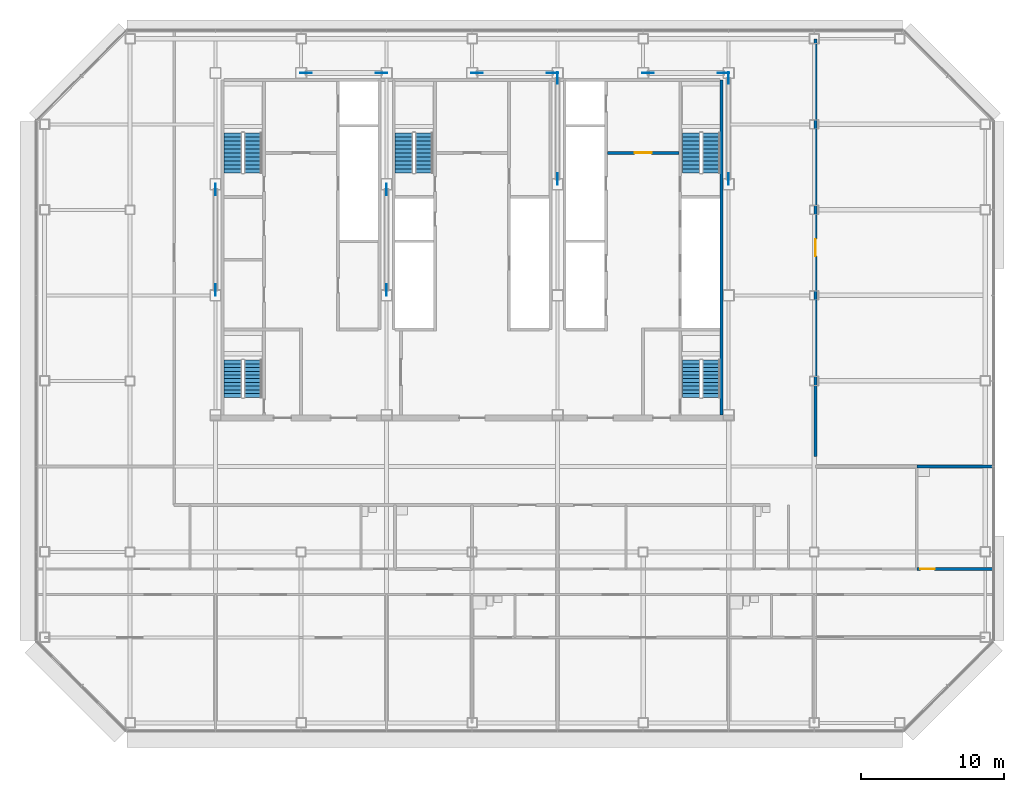
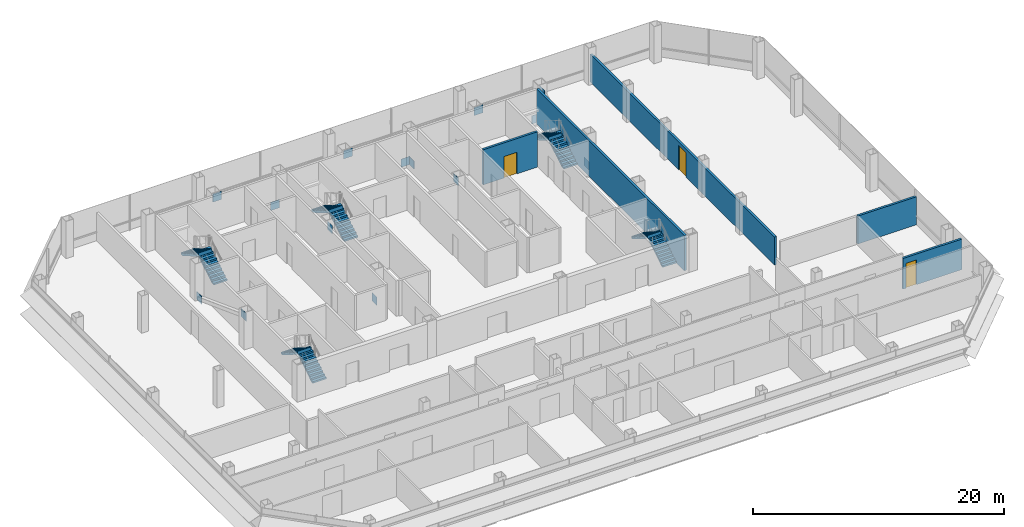
# One storey, part 22 of 24: 14 discrete accessories, 10 stair flights, 5 walls, 3 doors, 3 openings, 5 elements without a shape of their own.
"""IFC4 building model written with IfcOpenShell, lengths in metres."""

from ifc_helpers import new_model, si_unit, direction, frame, frame_2d, origin, origin_2d, place, context, subcontext, project, spatial, polyline, rectangle, outline, extrude, material, layer, layer_set, type_object, element, fill, aggregate, save


model = new_model("IFC4")

# Units and contexts
model_context = context("Model", 3, precision=1e-05, world=origin(), true_north=direction((0.0, 1.0)))
body_context = subcontext(model_context, "Body", "Model", "MODEL_VIEW")
ifc_project = project(units=[si_unit("LENGTHUNIT", "METRE"), si_unit("AREAUNIT", "SQUARE_METRE"), si_unit("VOLUMEUNIT", "CUBIC_METRE"), si_unit("PLANEANGLEUNIT", "RADIAN"), si_unit("MASSUNIT", "GRAM", prefix="KILO")], contexts=[model_context])

# Site, building, storey
site_placement = place(None, origin())
site = spatial("IfcSite", under=ifc_project, at=site_placement, CompositionType="ELEMENT")
building_placement = place(site_placement, origin())
building = spatial("IfcBuilding", under=site, at=building_placement, Name="Sorahane Residences", CompositionType="ELEMENT")
storey_placement = place(building_placement, frame((0.0, 0.0, 170.800048828125)))
storey = spatial("IfcBuildingStorey", under=building, at=storey_placement, Name="L39", CompositionType="ELEMENT", Elevation=170.800048828125)

# Wall
ifc_material_1 = material(Name="Concrete C30", Category="concrete")
ifc_layer_1 = layer(ifc_material_1, 0.199951171875)
ifc_layer_set_1 = layer_set([ifc_layer_1], Name="Core face wall 200 EI 180")
wall_type_1 = type_object("IfcWallType", Name="Core face wall 200 EI 180", PredefinedType="SOLIDWALL", material=ifc_layer_set_1)
wall_1_placement = place(storey_placement, frame((41.5, 21.60009765625, 0.0), z_axis=(0.0, 0.0, 1.0), x_axis=(0.0, 1.0, 0.0)))
element("IfcWall", 1, at=wall_1_placement, inside=storey, type_object=wall_type_1, Name="L39 core face wall", PredefinedType="SOLIDWALL", context=body_context, shape_type="SweptSolid", body=[
    extrude(rectangle(XDim=23.5, YDim=0.199951171875, at=frame_2d((11.75, 0.0))), origin(), (0.0, 0.0, 1.0), 3.419921875),
])

# Wall, opening, door
ifc_material_2 = material(Name="Concrete blockwork C20 wall", Category="masonry")
ifc_layer_2 = layer(ifc_material_2, 0.199951171875)
ifc_layer_set_2 = layer_set([ifc_layer_2], Name="Corridor wall 200 EI 120")
wall_type_2 = type_object("IfcWallType", Name="Corridor wall 200 EI 120", PredefinedType="SOLIDWALL", material=ifc_layer_set_2)
wall_2_placement = place(storey_placement, frame((48.10009765625, 18.699951171875, 0.0), z_axis=(0.0, 0.0, 1.0), x_axis=(0.0, 1.0, 0.0)))
wall_2 = element("IfcWall", 2, at=wall_2_placement, inside=storey, type_object=wall_type_2, Name="L39 corridor wall", PredefinedType="SOLIDWALL", context=body_context, shape_type="SweptSolid", body=[
    extrude(rectangle(XDim=29.300048828125, YDim=0.199951171875, at=frame_2d((14.64990234375, 0.0))), origin(), (0.0, 0.0, 1.0), 2.719970703125),
])
opening_1_placement = place(wall_2_placement, frame((14.050048828125, 0.0, 0.0)))
opening_1 = element("IfcOpeningElement", 3, at=opening_1_placement, cuts=wall_2, Name="Opening L39-29", PredefinedType="OPENING", context=body_context, shape_type="SweptSolid", body=[
    extrude(rectangle(XDim=1.199951171875, YDim=2.39990234375, at=frame_2d((0.60009765625, 1.199951171875))), frame((0.0, 0.10986328125, 0.0), z_axis=(0.0, -1.0, 0.0), x_axis=(1.0, 0.0, 0.0)), (0.0, 0.0, 1.0), 0.219970703125),
])
ifc_material_3 = material(Name="Steel", Category="steel")
door_type_1 = type_object("IfcDoorType", Name="Lobby door 1200x2400 FD60", OperationType="NOTDEFINED", PredefinedType="DOOR", material=ifc_material_3)
door_1_placement = place(opening_1_placement, frame((1.199951171875, 0.0, 0.0), z_axis=(0.0, 0.0, 1.0), x_axis=(-1.0, 0.0, 0.0)))
door_1 = element("IfcDoor", 4, at=door_1_placement, inside=storey, type_object=door_type_1, Name="Lobby door L39-29", OperationType="SINGLE_SWING_RIGHT", OverallHeight=2.39990234375, OverallWidth=1.199951171875, PredefinedType="DOOR", context=body_context, shape_type="SweptSolid", body=[
    extrude(rectangle(XDim=1.199951171875, YDim=2.39990234375, at=frame_2d((0.60009765625, 1.199951171875))), frame((0.0, 0.02490234375, 0.0), z_axis=(0.0, -1.0, 0.0), x_axis=(1.0, 0.0, 0.0)), (0.0, 0.0, 1.0), 0.050048828125),
])
fill(opening_1, door_1)

ifc_material_4 = material(Name="Concrete C30", Category="concrete")
ifc_layer_3 = layer(ifc_material_4, 0.199951171875)
ifc_layer_set_3 = layer_set([ifc_layer_3], Name="Front room wall 200 EI 120")
wall_type_3 = type_object("IfcWallType", Name="Front room wall 200 EI 120", PredefinedType="PARTITIONING", material=ifc_layer_set_3)
wall_3_placement = place(storey_placement, frame((33.5, 40.0, 0.0), z_axis=(0.0, 0.0, 1.0), x_axis=(1.0, 0.0, 0.0)))
wall_3 = element("IfcWall", 5, at=wall_3_placement, inside=storey, type_object=wall_type_3, Name="L39 front room wall", PredefinedType="PARTITIONING", context=body_context, shape_type="SweptSolid", body=[
    extrude(rectangle(XDim=5.0, YDim=0.199951171875, at=frame_2d((2.5, 0.0))), origin(), (0.0, 0.0, 1.0), 3.419921875),
])
opening_2_placement = place(wall_3_placement, frame((1.89990234375, 0.0, 0.0)))
opening_2 = element("IfcOpeningElement", 6, at=opening_2_placement, cuts=wall_3, Name="Opening L39-C09", PredefinedType="OPENING", context=body_context, shape_type="SweptSolid", body=[
    extrude(rectangle(XDim=1.199951171875, YDim=2.10009765625, at=frame_2d((0.60009765625, 1.050048828125))), frame((0.0, 0.10986328125, 0.0), z_axis=(0.0, -1.0, 0.0), x_axis=(1.0, 0.0, 0.0)), (0.0, 0.0, 1.0), 0.219970703125),
])
ifc_material_5 = material(Name="Steel", Category="steel")
door_type_2 = type_object("IfcDoorType", Name="Front room door 1200x2100 FD120", OperationType="NOTDEFINED", PredefinedType="DOOR", material=ifc_material_5)
door_2_placement = place(opening_2_placement, frame((1.199951171875, 0.0, 0.0), z_axis=(0.0, 0.0, 1.0), x_axis=(-1.0, 0.0, 0.0)))
door_2 = element("IfcDoor", 7, at=door_2_placement, inside=storey, type_object=door_type_2, Name="Front room door Firefighting lobby FF2 front room L39", OperationType="DOUBLE_DOOR_SINGLE_SWING", OverallHeight=2.10009765625, OverallWidth=1.199951171875, PredefinedType="DOOR", context=body_context, shape_type="SweptSolid", body=[
    extrude(rectangle(XDim=1.199951171875, YDim=2.10009765625, at=frame_2d((0.60009765625, 1.050048828125))), frame((0.0, 0.02490234375, 0.0), z_axis=(0.0, -1.0, 0.0), x_axis=(1.0, 0.0, 0.0)), (0.0, 0.0, 1.0), 0.050048828125),
])
fill(opening_2, door_2)

ifc_material_6 = material(Name="Concrete blockwork C20 wall", Category="masonry")
ifc_layer_4 = layer(ifc_material_6, 0.199951171875)
ifc_layer_set_4 = layer_set([ifc_layer_4], Name="Kitchen wall 200 EI 180")
wall_type_4 = type_object("IfcWallType", Name="Kitchen wall 200 EI 180", PredefinedType="SOLIDWALL", material=ifc_layer_set_4)
wall_4_placement = place(storey_placement, frame((55.199951171875, 10.800048828125, 0.0), z_axis=(0.0, 0.0, 1.0), x_axis=(1.0, 0.0, 0.0)))
wall_4 = element("IfcWall", 8, at=wall_4_placement, inside=storey, type_object=wall_type_4, Name="L39 kitchen wall", PredefinedType="SOLIDWALL", context=body_context, shape_type="SweptSolid", body=[
    extrude(rectangle(XDim=5.400146484375, YDim=0.199951171875, at=frame_2d((2.7001953125, 0.0))), origin(), (0.0, 0.0, 1.0), 2.969970703125),
])
opening_3_placement = place(wall_4_placement, frame((0.25, 0.0, 0.0)))
opening_3 = element("IfcOpeningElement", 9, at=opening_3_placement, cuts=wall_4, Name="Opening L39-18", PredefinedType="OPENING", context=body_context, shape_type="SweptSolid", body=[
    extrude(rectangle(XDim=1.0, YDim=2.39990234375, at=frame_2d((0.5, 1.199951171875))), frame((0.0, 0.10986328125, 0.0), z_axis=(0.0, -1.0, 0.0), x_axis=(1.0, 0.0, 0.0)), (0.0, 0.0, 1.0), 0.219970703125),
])
ifc_material_7 = material(Name="Steel", Category="steel")
door_type_3 = type_object("IfcDoorType", Name="Kitchen door 1000x2400 FD120", OperationType="NOTDEFINED", PredefinedType="DOOR", material=ifc_material_7)
door_3_placement = place(opening_3_placement, origin())
door_3 = element("IfcDoor", 10, at=door_3_placement, inside=storey, type_object=door_type_3, Name="Kitchen door L39-18", OperationType="SINGLE_SWING_RIGHT", OverallHeight=2.39990234375, OverallWidth=1.0, PredefinedType="DOOR", context=body_context, shape_type="SweptSolid", body=[
    extrude(rectangle(XDim=1.0, YDim=2.39990234375, at=frame_2d((0.5, 1.199951171875))), frame((0.0, 0.02490234375, 0.0), z_axis=(0.0, -1.0, 0.0), x_axis=(1.0, 0.0, 0.0)), (0.0, 0.0, 1.0), 0.050048828125),
])
fill(opening_3, door_3)

# Wall
wall_5_placement = place(storey_placement, frame((55.199951171875, 18.0, 0.0), z_axis=(0.0, 0.0, 1.0), x_axis=(1.0, 0.0, 0.0)))
element("IfcWall", 11, at=wall_5_placement, inside=storey, type_object=wall_type_4, Name="L39 kitchen wall", PredefinedType="SOLIDWALL", context=body_context, shape_type="SweptSolid", body=[
    extrude(rectangle(XDim=5.400146484375, YDim=0.199951171875, at=frame_2d((2.7001953125, 0.0))), origin(), (0.0, 0.0, 1.0), 2.719970703125),
])

# Stair, stair flights
ifc_material_8 = material(Name="Concrete C40", Category="concrete")
stair_type = type_object("IfcStairType", Name="Dog-leg stair 1250 Concrete C40", PredefinedType="HALF_TURN_STAIR", material=ifc_material_8)
stair_1_placement = place(storey_placement, origin())
stair_1 = element("IfcStair", 12, at=stair_1_placement, inside=storey, type_object=stair_type, Name="L39 Stair S1", PredefinedType="HALF_TURN_STAIR")
ifc_material_9 = material(Name="Concrete C40", Category="concrete")
stair_flight_type = type_object("IfcStairFlightType", Name="Stair flight 1250 Concrete C40", PredefinedType="STRAIGHT", material=ifc_material_9)
stair_flight_1_placement = place(storey_placement, frame((8.625, 38.60009765625, 0.0), z_axis=(0.0, 0.0, 1.0), x_axis=(0.0, 1.0, 0.0)))
stair_flight_1 = element("IfcStairFlight", 13, at=stair_flight_1_placement, type_object=stair_flight_type, Name="S1 flight 1", NumberOfRisers=11, NumberOfTreads=10, PredefinedType="STRAIGHT", RiserHeight=0.163636364, TreadLength=0.28, context=body_context, shape_type="SweptSolid", body=[
    extrude(outline(polyline([(-0.00146484375, 0.0), (-0.00146484375, 0.16357421875), (0.0, 0.16357421875), (0.280029296875, 0.16357421875), (0.280029296875, 0.327392578125), (0.56005859375, 0.327392578125), (0.56005859375, 0.490966796875), (0.840087890625, 0.490966796875), (0.840087890625, 0.654541015625), (1.1201171875, 0.654541015625), (1.1201171875, 0.818115234375), (1.39990234375, 0.818115234375), (1.39990234375, 0.98193359375), (1.679931640625, 0.98193359375), (1.679931640625, 1.1455078125), (1.9599609375, 1.1455078125), (1.9599609375, 1.30908203125), (2.239990234375, 1.30908203125), (2.239990234375, 1.47265625), (2.52001953125, 1.47265625), (2.52001953125, 1.636474609375), (2.800048828125, 1.636474609375), (2.800048828125, 1.800048828125), (2.800048828125, 1.462646484375), (2.59130859375, 1.3408203125), (2.3828125, 1.218994140625), (2.17431640625, 1.09716796875), (1.965576171875, 0.97509765625), (1.757080078125, 0.853271484375), (1.548583984375, 0.7314453125), (1.340087890625, 0.609375), (1.13134765625, 0.487548828125), (0.9228515625, 0.36572265625), (0.71435546875, 0.243896484375), (0.505615234375, 0.121826171875), (0.297119140625, 0.0), (-0.00146484375, 0.0)])), frame((0.0, 0.625, 0.0), z_axis=(0.0, -1.0, 0.0), x_axis=(1.0, 0.0, 0.0)), (0.0, 0.0, 1.0), 1.25),
])
stair_flight_2_placement = place(storey_placement, frame((7.22509765625, 41.39990234375, 1.800048828125), z_axis=(0.0, 0.0, 1.0), x_axis=(0.0, -1.0, 0.0)))
stair_flight_2 = element("IfcStairFlight", 14, at=stair_flight_2_placement, type_object=stair_flight_type, Name="S1 flight 2", NumberOfRisers=11, NumberOfTreads=10, PredefinedType="STRAIGHT", RiserHeight=0.163636364, TreadLength=0.28, context=body_context, shape_type="SweptSolid", body=[
    extrude(outline(polyline([(0.0, 0.0), (0.0, 0.16357421875), (0.280029296875, 0.16357421875), (0.280029296875, 0.327392578125), (0.56005859375, 0.327392578125), (0.56005859375, 0.490966796875), (0.840087890625, 0.490966796875), (0.840087890625, 0.654541015625), (1.1201171875, 0.654541015625), (1.1201171875, 0.818115234375), (1.39990234375, 0.818115234375), (1.39990234375, 0.98193359375), (1.679931640625, 0.98193359375), (1.679931640625, 1.1455078125), (1.9599609375, 1.1455078125), (1.9599609375, 1.30908203125), (2.239990234375, 1.30908203125), (2.239990234375, 1.47265625), (2.52001953125, 1.47265625), (2.52001953125, 1.636474609375), (2.800048828125, 1.636474609375), (2.800048828125, 1.800048828125), (2.801513671875, 1.800048828125), (2.801513671875, 1.462646484375), (2.5927734375, 1.3408203125), (2.384033203125, 1.218994140625), (2.17529296875, 1.09716796875), (1.966796875, 0.97509765625), (1.758056640625, 0.853271484375), (1.54931640625, 0.7314453125), (1.340576171875, 0.609375), (1.1318359375, 0.487548828125), (0.923095703125, 0.36572265625), (0.714599609375, 0.243896484375), (0.505859375, 0.121826171875), (0.297119140625, 0.0), (0.0, 0.0)])), frame((0.0, 0.625, 0.0), z_axis=(0.0, -1.0, 0.0), x_axis=(1.0, 0.0, 0.0)), (0.0, 0.0, 1.0), 1.25),
])
aggregate(stair_1, [stair_flight_1, stair_flight_2])

stair_2_placement = place(storey_placement, origin())
stair_2 = element("IfcStair", 15, at=stair_2_placement, inside=storey, type_object=stair_type, Name="L39 Stair S2", PredefinedType="HALF_TURN_STAIR")
stair_flight_3_placement = place(storey_placement, frame((40.77490234375, 38.60009765625, 0.0), z_axis=(0.0, 0.0, 1.0), x_axis=(0.0, 1.0, 0.0)))
stair_flight_3 = element("IfcStairFlight", 16, at=stair_flight_3_placement, type_object=stair_flight_type, Name="S2 flight 1", NumberOfRisers=11, NumberOfTreads=10, PredefinedType="STRAIGHT", RiserHeight=0.163636364, TreadLength=0.28, context=body_context, shape_type="SweptSolid", body=[
    extrude(outline(polyline([(-0.00146484375, 0.0), (-0.00146484375, 0.16357421875), (0.0, 0.16357421875), (0.280029296875, 0.16357421875), (0.280029296875, 0.327392578125), (0.56005859375, 0.327392578125), (0.56005859375, 0.490966796875), (0.840087890625, 0.490966796875), (0.840087890625, 0.654541015625), (1.1201171875, 0.654541015625), (1.1201171875, 0.818115234375), (1.39990234375, 0.818115234375), (1.39990234375, 0.98193359375), (1.679931640625, 0.98193359375), (1.679931640625, 1.1455078125), (1.9599609375, 1.1455078125), (1.9599609375, 1.30908203125), (2.239990234375, 1.30908203125), (2.239990234375, 1.47265625), (2.52001953125, 1.47265625), (2.52001953125, 1.636474609375), (2.800048828125, 1.636474609375), (2.800048828125, 1.800048828125), (2.800048828125, 1.462646484375), (2.59130859375, 1.3408203125), (2.3828125, 1.218994140625), (2.17431640625, 1.09716796875), (1.965576171875, 0.97509765625), (1.757080078125, 0.853271484375), (1.548583984375, 0.7314453125), (1.340087890625, 0.609375), (1.13134765625, 0.487548828125), (0.9228515625, 0.36572265625), (0.71435546875, 0.243896484375), (0.505615234375, 0.121826171875), (0.297119140625, 0.0), (-0.00146484375, 0.0)])), frame((0.0, 0.625, 0.0), z_axis=(0.0, -1.0, 0.0), x_axis=(1.0, 0.0, 0.0)), (0.0, 0.0, 1.0), 1.25),
])
stair_flight_4_placement = place(storey_placement, frame((39.375, 41.39990234375, 1.800048828125), z_axis=(0.0, 0.0, 1.0), x_axis=(0.0, -1.0, 0.0)))
stair_flight_4 = element("IfcStairFlight", 17, at=stair_flight_4_placement, type_object=stair_flight_type, Name="S2 flight 2", NumberOfRisers=11, NumberOfTreads=10, PredefinedType="STRAIGHT", RiserHeight=0.163636364, TreadLength=0.28, context=body_context, shape_type="SweptSolid", body=[
    extrude(outline(polyline([(0.0, 0.0), (0.0, 0.16357421875), (0.280029296875, 0.16357421875), (0.280029296875, 0.327392578125), (0.56005859375, 0.327392578125), (0.56005859375, 0.490966796875), (0.840087890625, 0.490966796875), (0.840087890625, 0.654541015625), (1.1201171875, 0.654541015625), (1.1201171875, 0.818115234375), (1.39990234375, 0.818115234375), (1.39990234375, 0.98193359375), (1.679931640625, 0.98193359375), (1.679931640625, 1.1455078125), (1.9599609375, 1.1455078125), (1.9599609375, 1.30908203125), (2.239990234375, 1.30908203125), (2.239990234375, 1.47265625), (2.52001953125, 1.47265625), (2.52001953125, 1.636474609375), (2.800048828125, 1.636474609375), (2.800048828125, 1.800048828125), (2.801513671875, 1.800048828125), (2.801513671875, 1.462646484375), (2.5927734375, 1.3408203125), (2.384033203125, 1.218994140625), (2.17529296875, 1.09716796875), (1.966796875, 0.97509765625), (1.758056640625, 0.853271484375), (1.54931640625, 0.7314453125), (1.340576171875, 0.609375), (1.1318359375, 0.487548828125), (0.923095703125, 0.36572265625), (0.714599609375, 0.243896484375), (0.505859375, 0.121826171875), (0.297119140625, 0.0), (0.0, 0.0)])), frame((0.0, 0.625, 0.0), z_axis=(0.0, -1.0, 0.0), x_axis=(1.0, 0.0, 0.0)), (0.0, 0.0, 1.0), 1.25),
])
aggregate(stair_2, [stair_flight_3, stair_flight_4])

stair_3_placement = place(storey_placement, origin())
stair_3 = element("IfcStair", 18, at=stair_3_placement, inside=storey, type_object=stair_type, Name="L39 Stair S3", PredefinedType="HALF_TURN_STAIR")
stair_flight_5_placement = place(storey_placement, frame((20.625, 38.60009765625, 0.0), z_axis=(0.0, 0.0, 1.0), x_axis=(0.0, 1.0, 0.0)))
stair_flight_5 = element("IfcStairFlight", 19, at=stair_flight_5_placement, type_object=stair_flight_type, Name="S3 flight 1", NumberOfRisers=11, NumberOfTreads=10, PredefinedType="STRAIGHT", RiserHeight=0.163636364, TreadLength=0.28, context=body_context, shape_type="SweptSolid", body=[
    extrude(outline(polyline([(-0.00146484375, 0.0), (-0.00146484375, 0.16357421875), (0.0, 0.16357421875), (0.280029296875, 0.16357421875), (0.280029296875, 0.327392578125), (0.56005859375, 0.327392578125), (0.56005859375, 0.490966796875), (0.840087890625, 0.490966796875), (0.840087890625, 0.654541015625), (1.1201171875, 0.654541015625), (1.1201171875, 0.818115234375), (1.39990234375, 0.818115234375), (1.39990234375, 0.98193359375), (1.679931640625, 0.98193359375), (1.679931640625, 1.1455078125), (1.9599609375, 1.1455078125), (1.9599609375, 1.30908203125), (2.239990234375, 1.30908203125), (2.239990234375, 1.47265625), (2.52001953125, 1.47265625), (2.52001953125, 1.636474609375), (2.800048828125, 1.636474609375), (2.800048828125, 1.800048828125), (2.800048828125, 1.462646484375), (2.59130859375, 1.3408203125), (2.3828125, 1.218994140625), (2.17431640625, 1.09716796875), (1.965576171875, 0.97509765625), (1.757080078125, 0.853271484375), (1.548583984375, 0.7314453125), (1.340087890625, 0.609375), (1.13134765625, 0.487548828125), (0.9228515625, 0.36572265625), (0.71435546875, 0.243896484375), (0.505615234375, 0.121826171875), (0.297119140625, 0.0), (-0.00146484375, 0.0)])), frame((0.0, 0.625, 0.0), z_axis=(0.0, -1.0, 0.0), x_axis=(1.0, 0.0, 0.0)), (0.0, 0.0, 1.0), 1.25),
])
stair_flight_6_placement = place(storey_placement, frame((19.22509765625, 41.39990234375, 1.800048828125), z_axis=(0.0, 0.0, 1.0), x_axis=(0.0, -1.0, 0.0)))
stair_flight_6 = element("IfcStairFlight", 20, at=stair_flight_6_placement, type_object=stair_flight_type, Name="S3 flight 2", NumberOfRisers=11, NumberOfTreads=10, PredefinedType="STRAIGHT", RiserHeight=0.163636364, TreadLength=0.28, context=body_context, shape_type="SweptSolid", body=[
    extrude(outline(polyline([(0.0, 0.0), (0.0, 0.16357421875), (0.280029296875, 0.16357421875), (0.280029296875, 0.327392578125), (0.56005859375, 0.327392578125), (0.56005859375, 0.490966796875), (0.840087890625, 0.490966796875), (0.840087890625, 0.654541015625), (1.1201171875, 0.654541015625), (1.1201171875, 0.818115234375), (1.39990234375, 0.818115234375), (1.39990234375, 0.98193359375), (1.679931640625, 0.98193359375), (1.679931640625, 1.1455078125), (1.9599609375, 1.1455078125), (1.9599609375, 1.30908203125), (2.239990234375, 1.30908203125), (2.239990234375, 1.47265625), (2.52001953125, 1.47265625), (2.52001953125, 1.636474609375), (2.800048828125, 1.636474609375), (2.800048828125, 1.800048828125), (2.801513671875, 1.800048828125), (2.801513671875, 1.462646484375), (2.5927734375, 1.3408203125), (2.384033203125, 1.218994140625), (2.17529296875, 1.09716796875), (1.966796875, 0.97509765625), (1.758056640625, 0.853271484375), (1.54931640625, 0.7314453125), (1.340576171875, 0.609375), (1.1318359375, 0.487548828125), (0.923095703125, 0.36572265625), (0.714599609375, 0.243896484375), (0.505859375, 0.121826171875), (0.297119140625, 0.0), (0.0, 0.0)])), frame((0.0, 0.625, 0.0), z_axis=(0.0, -1.0, 0.0), x_axis=(1.0, 0.0, 0.0)), (0.0, 0.0, 1.0), 1.25),
])
aggregate(stair_3, [stair_flight_5, stair_flight_6])

stair_4_placement = place(storey_placement, origin())
stair_4 = element("IfcStair", 21, at=stair_4_placement, inside=storey, type_object=stair_type, Name="L39 Stair S4", PredefinedType="HALF_TURN_STAIR")
stair_flight_7_placement = place(storey_placement, frame((8.625, 22.85009765625, 0.0), z_axis=(0.0, 0.0, 1.0), x_axis=(0.0, 1.0, 0.0)))
stair_flight_7 = element("IfcStairFlight", 22, at=stair_flight_7_placement, type_object=stair_flight_type, Name="S4 flight 1", NumberOfRisers=11, NumberOfTreads=10, PredefinedType="STRAIGHT", RiserHeight=0.163636364, TreadLength=0.26, context=body_context, shape_type="SweptSolid", body=[
    extrude(outline(polyline([(-0.00146484375, 0.0), (-0.00146484375, 0.16357421875), (0.0, 0.16357421875), (0.260009765625, 0.16357421875), (0.260009765625, 0.327392578125), (0.52001953125, 0.327392578125), (0.52001953125, 0.490966796875), (0.780029296875, 0.490966796875), (0.780029296875, 0.654541015625), (1.0400390625, 0.654541015625), (1.0400390625, 0.818115234375), (1.300048828125, 0.818115234375), (1.300048828125, 0.98193359375), (1.56005859375, 0.98193359375), (1.56005859375, 1.1455078125), (1.820068359375, 1.1455078125), (1.820068359375, 1.30908203125), (2.080078125, 1.30908203125), (2.080078125, 1.47265625), (2.340087890625, 1.47265625), (2.340087890625, 1.636474609375), (2.60009765625, 1.636474609375), (2.60009765625, 1.800048828125), (2.60009765625, 1.494384765625), (2.402099609375, 1.369873046875), (2.204345703125, 1.245361328125), (2.00634765625, 1.120849609375), (1.80859375, 0.996337890625), (1.610595703125, 0.871826171875), (1.412841796875, 0.747314453125), (1.21484375, 0.622802734375), (1.01708984375, 0.498046875), (0.819091796875, 0.37353515625), (0.621337890625, 0.2490234375), (0.42333984375, 0.12451171875), (0.2255859375, 0.0), (-0.00146484375, 0.0)])), frame((0.0, 0.625, 0.0), z_axis=(0.0, -1.0, 0.0), x_axis=(1.0, 0.0, 0.0)), (0.0, 0.0, 1.0), 1.25),
])
stair_flight_8_placement = place(storey_placement, frame((7.22509765625, 25.449951171875, 1.800048828125), z_axis=(0.0, 0.0, 1.0), x_axis=(0.0, -1.0, 0.0)))
stair_flight_8 = element("IfcStairFlight", 23, at=stair_flight_8_placement, type_object=stair_flight_type, Name="S4 flight 2", NumberOfRisers=11, NumberOfTreads=10, PredefinedType="STRAIGHT", RiserHeight=0.163636364, TreadLength=0.26, context=body_context, shape_type="SweptSolid", body=[
    extrude(outline(polyline([(0.0, 0.0), (0.0, 0.16357421875), (0.260009765625, 0.16357421875), (0.260009765625, 0.327392578125), (0.52001953125, 0.327392578125), (0.52001953125, 0.490966796875), (0.780029296875, 0.490966796875), (0.780029296875, 0.654541015625), (1.0400390625, 0.654541015625), (1.0400390625, 0.818115234375), (1.300048828125, 0.818115234375), (1.300048828125, 0.98193359375), (1.56005859375, 0.98193359375), (1.56005859375, 1.1455078125), (1.820068359375, 1.1455078125), (1.820068359375, 1.30908203125), (2.080078125, 1.30908203125), (2.080078125, 1.47265625), (2.340087890625, 1.47265625), (2.340087890625, 1.636474609375), (2.60009765625, 1.636474609375), (2.60009765625, 1.800048828125), (2.6015625, 1.800048828125), (2.6015625, 1.494384765625), (2.403564453125, 1.369873046875), (2.20556640625, 1.245361328125), (2.007568359375, 1.120849609375), (1.8095703125, 0.996337890625), (1.611572265625, 0.871826171875), (1.41357421875, 0.747314453125), (1.215576171875, 0.622802734375), (1.017578125, 0.498046875), (0.819580078125, 0.37353515625), (0.62158203125, 0.2490234375), (0.423583984375, 0.12451171875), (0.2255859375, 0.0), (0.0, 0.0)])), frame((0.0, 0.625, 0.0), z_axis=(0.0, -1.0, 0.0), x_axis=(1.0, 0.0, 0.0)), (0.0, 0.0, 1.0), 1.25),
])
aggregate(stair_4, [stair_flight_7, stair_flight_8])

stair_5_placement = place(storey_placement, origin())
stair_5 = element("IfcStair", 24, at=stair_5_placement, inside=storey, type_object=stair_type, Name="L39 Stair S5", PredefinedType="HALF_TURN_STAIR")
stair_flight_9_placement = place(storey_placement, frame((40.77490234375, 22.85009765625, 0.0), z_axis=(0.0, 0.0, 1.0), x_axis=(0.0, 1.0, 0.0)))
stair_flight_9 = element("IfcStairFlight", 25, at=stair_flight_9_placement, type_object=stair_flight_type, Name="S5 flight 1", NumberOfRisers=11, NumberOfTreads=10, PredefinedType="STRAIGHT", RiserHeight=0.163636364, TreadLength=0.26, context=body_context, shape_type="SweptSolid", body=[
    extrude(outline(polyline([(-0.00146484375, 0.0), (-0.00146484375, 0.16357421875), (0.0, 0.16357421875), (0.260009765625, 0.16357421875), (0.260009765625, 0.327392578125), (0.52001953125, 0.327392578125), (0.52001953125, 0.490966796875), (0.780029296875, 0.490966796875), (0.780029296875, 0.654541015625), (1.0400390625, 0.654541015625), (1.0400390625, 0.818115234375), (1.300048828125, 0.818115234375), (1.300048828125, 0.98193359375), (1.56005859375, 0.98193359375), (1.56005859375, 1.1455078125), (1.820068359375, 1.1455078125), (1.820068359375, 1.30908203125), (2.080078125, 1.30908203125), (2.080078125, 1.47265625), (2.340087890625, 1.47265625), (2.340087890625, 1.636474609375), (2.60009765625, 1.636474609375), (2.60009765625, 1.800048828125), (2.60009765625, 1.494384765625), (2.402099609375, 1.369873046875), (2.204345703125, 1.245361328125), (2.00634765625, 1.120849609375), (1.80859375, 0.996337890625), (1.610595703125, 0.871826171875), (1.412841796875, 0.747314453125), (1.21484375, 0.622802734375), (1.01708984375, 0.498046875), (0.819091796875, 0.37353515625), (0.621337890625, 0.2490234375), (0.42333984375, 0.12451171875), (0.2255859375, 0.0), (-0.00146484375, 0.0)])), frame((0.0, 0.625, 0.0), z_axis=(0.0, -1.0, 0.0), x_axis=(1.0, 0.0, 0.0)), (0.0, 0.0, 1.0), 1.25),
])
stair_flight_10_placement = place(storey_placement, frame((39.375, 25.449951171875, 1.800048828125), z_axis=(0.0, 0.0, 1.0), x_axis=(0.0, -1.0, 0.0)))
stair_flight_10 = element("IfcStairFlight", 26, at=stair_flight_10_placement, type_object=stair_flight_type, Name="S5 flight 2", NumberOfRisers=11, NumberOfTreads=10, PredefinedType="STRAIGHT", RiserHeight=0.163636364, TreadLength=0.26, context=body_context, shape_type="SweptSolid", body=[
    extrude(outline(polyline([(0.0, 0.0), (0.0, 0.16357421875), (0.260009765625, 0.16357421875), (0.260009765625, 0.327392578125), (0.52001953125, 0.327392578125), (0.52001953125, 0.490966796875), (0.780029296875, 0.490966796875), (0.780029296875, 0.654541015625), (1.0400390625, 0.654541015625), (1.0400390625, 0.818115234375), (1.300048828125, 0.818115234375), (1.300048828125, 0.98193359375), (1.56005859375, 0.98193359375), (1.56005859375, 1.1455078125), (1.820068359375, 1.1455078125), (1.820068359375, 1.30908203125), (2.080078125, 1.30908203125), (2.080078125, 1.47265625), (2.340087890625, 1.47265625), (2.340087890625, 1.636474609375), (2.60009765625, 1.636474609375), (2.60009765625, 1.800048828125), (2.6015625, 1.800048828125), (2.6015625, 1.494384765625), (2.403564453125, 1.369873046875), (2.20556640625, 1.245361328125), (2.007568359375, 1.120849609375), (1.8095703125, 0.996337890625), (1.611572265625, 0.871826171875), (1.41357421875, 0.747314453125), (1.215576171875, 0.622802734375), (1.017578125, 0.498046875), (0.819580078125, 0.37353515625), (0.62158203125, 0.2490234375), (0.423583984375, 0.12451171875), (0.2255859375, 0.0), (0.0, 0.0)])), frame((0.0, 0.625, 0.0), z_axis=(0.0, -1.0, 0.0), x_axis=(1.0, 0.0, 0.0)), (0.0, 0.0, 1.0), 1.25),
])
aggregate(stair_5, [stair_flight_9, stair_flight_10])

# Discrete accessories
ifc_material_10 = material(Name="Steel Q355B", Category="steel")
ifc_layer_5 = layer(ifc_material_10, 0.02490234375)
ifc_layer_set_5 = layer_set([ifc_layer_5], Name="Node plate Steel Q355B 25")
discrete_accessory_type = type_object("IfcDiscreteAccessoryType", Name="Node plate Steel Q355B 25", PredefinedType="BRACKET", material=ifc_layer_set_5)
for number, where, z_axis, x_axis, name in (
    (27, (6.0, 37.436767578125, -0.23876953125), (0.0, 0.0, 1.0), (0.0, 1.0, 0.0), "Node plate L39 br"),
    (28, (6.0, 30.36328125, 2.40869140625), (0.0, 0.0, 1.0), (0.0, 1.0, 0.0), "Node plate L39 br"),
    (29, (18.0, 30.36328125, -0.23876953125), (0.0, 0.0, 1.0), (0.0, 1.0, 0.0), "Node plate L39 br"),
    (30, (18.0, 37.436767578125, 2.40869140625), (0.0, 0.0, 1.0), (0.0, 1.0, 0.0), "Node plate L39 br"),
    (31, (30.0, 45.23681640625, -0.23876953125), (0.0, 0.0, 1.0), (0.0, 1.0, 0.0), "Node plate L39 br"),
    (32, (30.0, 38.1630859375, 2.40869140625), (0.0, 0.0, 1.0), (0.0, 1.0, 0.0), "Node plate L39 br"),
    (33, (42.0, 38.1630859375, -0.23876953125), (0.0, 0.0, 1.0), (0.0, 1.0, 0.0), "Node plate L39 br"),
    (34, (42.0, 45.23681640625, 2.40869140625), (0.0, 0.0, 1.0), (0.0, 1.0, 0.0), "Node plate L39 br"),
    (35, (17.647216796875, 45.60009765625, -0.2490234375), (0.0, 0.0, 1.0), (1.0, 0.0, 0.0), "Node plate L39 br"),
    (36, (29.647216796875, 45.60009765625, -0.2490234375), (0.0, 0.0, 1.0), (1.0, 0.0, 0.0), "Node plate L39 br"),
    (37, (41.647216796875, 45.60009765625, -0.2490234375), (0.0, 0.0, 1.0), (1.0, 0.0, 0.0), "Node plate L39 br"),
    (38, (12.352783203125, 45.60009765625, 2.4189453125), (0.0, 0.0, 1.0), (1.0, 0.0, 0.0), "Node plate L39 br"),
    (39, (24.352783203125, 45.60009765625, 2.4189453125), (0.0, 0.0, 1.0), (1.0, 0.0, 0.0), "Node plate L39 br"),
    (40, (36.352783203125, 45.60009765625, 2.4189453125), (0.0, 0.0, 1.0), (1.0, 0.0, 0.0), "Node plate L39 br"),
):
    element("IfcDiscreteAccessory", number, at=place(storey_placement, frame(where, z_axis=z_axis, x_axis=x_axis)), inside=storey, type_object=discrete_accessory_type, Name=name, PredefinedType="BRACKET", context=body_context, shape_type="SweptSolid", body=[
        extrude(rectangle(XDim=0.800048828125, YDim=0.02490234375, at=origin_2d()), origin(), (0.0, 0.0, 1.0), 0.800048828125),
    ])

save(model, "model.ifc")
